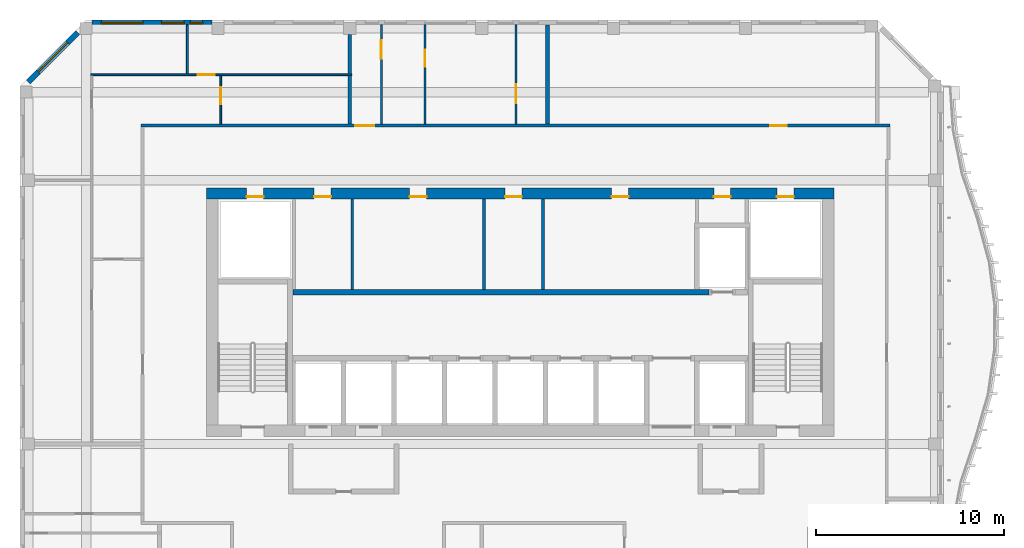
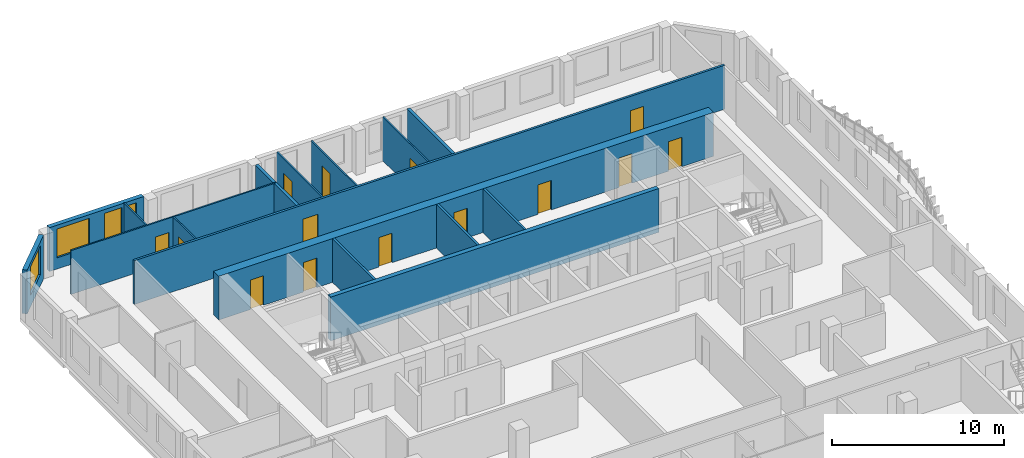
# One storey, part 7 of 18: 17 walls, 14 doors, 4 windows, 18 openings.
"""IFC4 building model written with IfcOpenShell, lengths in metres."""

from ifc_helpers import new_model, si_unit, direction, frame, frame_2d, origin, place, context, subcontext, project, spatial, rectangle, extrude, source, transform, mapped, material, layer, layer_set, type_object, element, fill, save


model = new_model("IFC4")

# Units and contexts
model_context = context("Model", 3, precision=1e-05, world=origin(), true_north=direction((0.0, 1.0)))
body_context = subcontext(model_context, "Body", "Model", "MODEL_VIEW")
ifc_project = project(units=[si_unit("LENGTHUNIT", "METRE"), si_unit("AREAUNIT", "SQUARE_METRE"), si_unit("VOLUMEUNIT", "CUBIC_METRE"), si_unit("PLANEANGLEUNIT", "RADIAN"), si_unit("MASSUNIT", "GRAM", prefix="KILO")], contexts=[model_context])

# Site, building, storey
site_placement = place(None, origin())
site = spatial("IfcSite", under=ifc_project, at=site_placement, CompositionType="ELEMENT")
building_placement = place(site_placement, origin())
building = spatial("IfcBuilding", under=site, at=building_placement, Name="Kilnfold Tower and Market Hall", CompositionType="ELEMENT")
storey_placement = place(building_placement, frame((0.0, 0.0, 277.199951171875)))
storey = spatial("IfcBuildingStorey", under=building, at=storey_placement, Name="L68", CompositionType="ELEMENT", Elevation=277.199951171875)

# Wall, openings, doors
ifc_material_1 = material(Name="Gypsum board on steel studs", Category="steel")
ifc_layer_1 = layer(ifc_material_1, 0.14990234375)
ifc_layer_set_1 = layer_set([ifc_layer_1], Name="Gypsum board on steel studs")
wall_type_1 = type_object("IfcWallType", Name="WALL CORRIDOR 150", PredefinedType="PARTITIONING", material=ifc_layer_set_1)
wall_1_placement = place(storey_placement, frame((-19.074951171875, 24.89990234375, 0.0), z_axis=(0.0, 0.0, 1.0), x_axis=(1.0, 0.0, 0.0)))
wall_1 = element("IfcWall", 1, at=wall_1_placement, inside=storey, type_object=wall_type_1, Name="Partition LY42.22", PredefinedType="PARTITIONING", context=body_context, shape_type="SweptSolid", body=[
    extrude(rectangle(XDim=39.75, YDim=0.14990234375, at=frame_2d((19.875, 0.0))), origin(), (0.0, 0.0, 1.0), 3.1201171875),
])
opening_1_placement = place(wall_1_placement, frame((11.364990234375, 0.0, 0.0)))
opening_1 = element("IfcOpeningElement", 2, at=opening_1_placement, cuts=wall_1, Name="Opening D1", PredefinedType="OPENING", context=body_context, shape_type="SweptSolid", body=[
    extrude(rectangle(XDim=1.0, YDim=2.10009765625, at=frame_2d((0.5, 1.050048828125))), frame((0.0, 0.0849609375, 0.0), z_axis=(0.0, -1.0, 0.0), x_axis=(1.0, 0.0, 0.0)), (0.0, 0.0, 1.0), 0.169921875),
])
opening_2_placement = place(wall_1_placement, frame((33.37890625, 0.0, 0.0)))
opening_2 = element("IfcOpeningElement", 3, at=opening_2_placement, cuts=wall_1, Name="Opening D2", PredefinedType="OPENING", context=body_context, shape_type="SweptSolid", body=[
    extrude(rectangle(XDim=0.89990234375, YDim=2.10009765625, at=frame_2d((0.449951171875, 1.050048828125))), frame((0.0, 0.0849609375, 0.0), z_axis=(0.0, -1.0, 0.0), x_axis=(1.0, 0.0, 0.0)), (0.0, 0.0, 1.0), 0.169921875),
])
ifc_material_2 = material(Name="Timber veneer door leaf in steel frame", Category="steel")
door_type_1 = type_object("IfcDoorType", Name="DOOR ENTRY 1000 X2100", OperationType="NOTDEFINED", PredefinedType="DOOR", material=ifc_material_2)
door_1_placement = place(opening_1_placement, origin())
door_1 = element("IfcDoor", 4, at=door_1_placement, inside=storey, type_object=door_type_1, Name="Door D1", OperationType="SINGLE_SWING_LEFT", OverallHeight=2.10009765625, OverallWidth=1.0, PredefinedType="DOOR", context=body_context, shape_type="SweptSolid", body=[
    extrude(rectangle(XDim=1.0, YDim=2.10009765625, at=frame_2d((0.5, 1.050048828125))), frame((0.0, 0.02490234375, 0.0), z_axis=(0.0, -1.0, 0.0), x_axis=(1.0, 0.0, 0.0)), (0.0, 0.0, 1.0), 0.050048828125),
])
fill(opening_1, door_1)
ifc_material_3 = material(Name="Timber veneer door leaf in steel frame", Category="steel")
door_type_2 = type_object("IfcDoorType", Name="DOOR ROOM 900 X2100", OperationType="NOTDEFINED", PredefinedType="DOOR", material=ifc_material_3)
door_2_placement = place(opening_2_placement, origin())
door_2 = element("IfcDoor", 5, at=door_2_placement, inside=storey, type_object=door_type_2, Name="Door D2", OperationType="SINGLE_SWING_LEFT", OverallHeight=2.10009765625, OverallWidth=0.89990234375, PredefinedType="DOOR", context=body_context, shape_type="SweptSolid", body=[
    extrude(rectangle(XDim=0.89990234375, YDim=2.10009765625, at=frame_2d((0.449951171875, 1.050048828125))), frame((0.0, 0.02490234375, 0.0), z_axis=(0.0, -1.0, 0.0), x_axis=(1.0, 0.0, 0.0)), (0.0, 0.0, 1.0), 0.050048828125),
])
fill(opening_2, door_2)

# Wall, opening, door
ifc_material_4 = material(Name="Gypsum board on steel studs", Category="steel")
ifc_layer_2 = layer(ifc_material_4, 0.10009765625)
ifc_layer_set_2 = layer_set([ifc_layer_2], Name="Gypsum board on steel studs")
wall_type_2 = type_object("IfcWallType", Name="WALL PARTITION 100", PredefinedType="PARTITIONING", material=ifc_layer_set_2)
wall_2_placement = place(storey_placement, frame((-6.320068359375, 24.97705078125, 0.0), z_axis=(0.0, 0.0, 1.0), x_axis=(0.0, 1.0, 0.0)))
wall_2 = element("IfcWall", 6, at=wall_2_placement, inside=storey, type_object=wall_type_2, Name="Partition LY42.66", PredefinedType="PARTITIONING", context=body_context, shape_type="SweptSolid", body=[
    extrude(rectangle(XDim=5.27294921875, YDim=0.10009765625, at=frame_2d((2.636474609375, 0.0))), origin(), (0.0, 0.0, 1.0), 3.1201171875),
])
opening_3_placement = place(wall_2_placement, frame((3.4609375, 0.0, 0.0)))
opening_3 = element("IfcOpeningElement", 7, at=opening_3_placement, cuts=wall_2, Name="Opening D1", PredefinedType="OPENING", context=body_context, shape_type="SweptSolid", body=[
    extrude(rectangle(XDim=1.0, YDim=2.10009765625, at=frame_2d((0.5, 1.050048828125))), frame((0.0, 0.06005859375, 0.0), z_axis=(0.0, -1.0, 0.0), x_axis=(1.0, 0.0, 0.0)), (0.0, 0.0, 1.0), 0.1201171875),
])
door_3_placement = place(opening_3_placement, origin())
door_3 = element("IfcDoor", 8, at=door_3_placement, inside=storey, type_object=door_type_1, Name="Door D1", OperationType="SINGLE_SWING_LEFT", OverallHeight=2.10009765625, OverallWidth=1.0, PredefinedType="DOOR", context=body_context, shape_type="SweptSolid", body=[
    extrude(rectangle(XDim=1.0, YDim=2.10009765625, at=frame_2d((0.5, 1.050048828125))), frame((0.0, 0.02490234375, 0.0), z_axis=(0.0, -1.0, 0.0), x_axis=(1.0, 0.0, 0.0)), (0.0, 0.0, 1.0), 0.050048828125),
])
fill(opening_3, door_3)

wall_3_placement = place(storey_placement, frame((-4.010009765625, 24.97705078125, 0.0), z_axis=(0.0, 0.0, 1.0), x_axis=(0.0, 1.0, 0.0)))
wall_3 = element("IfcWall", 9, at=wall_3_placement, inside=storey, type_object=wall_type_2, Name="Partition LY42.69", PredefinedType="PARTITIONING", context=body_context, shape_type="SweptSolid", body=[
    extrude(rectangle(XDim=5.27294921875, YDim=0.10009765625, at=frame_2d((2.636474609375, 0.0))), origin(), (0.0, 0.0, 1.0), 3.1201171875),
])
opening_4_placement = place(wall_3_placement, frame((3.052001953125, 0.0, 0.0)))
opening_4 = element("IfcOpeningElement", 10, at=opening_4_placement, cuts=wall_3, Name="Opening D2", PredefinedType="OPENING", context=body_context, shape_type="SweptSolid", body=[
    extrude(rectangle(XDim=0.89990234375, YDim=2.10009765625, at=frame_2d((0.449951171875, 1.050048828125))), frame((0.0, 0.06005859375, 0.0), z_axis=(0.0, -1.0, 0.0), x_axis=(1.0, 0.0, 0.0)), (0.0, 0.0, 1.0), 0.1201171875),
])
door_4_placement = place(opening_4_placement, origin())
door_4 = element("IfcDoor", 11, at=door_4_placement, inside=storey, type_object=door_type_2, Name="Door D2", OperationType="SINGLE_SWING_LEFT", OverallHeight=2.10009765625, OverallWidth=0.89990234375, PredefinedType="DOOR", context=body_context, shape_type="SweptSolid", body=[
    extrude(rectangle(XDim=0.89990234375, YDim=2.10009765625, at=frame_2d((0.449951171875, 1.050048828125))), frame((0.0, 0.02490234375, 0.0), z_axis=(0.0, -1.0, 0.0), x_axis=(1.0, 0.0, 0.0)), (0.0, 0.0, 1.0), 0.050048828125),
])
fill(opening_4, door_4)

wall_4_placement = place(storey_placement, frame((0.820068359375, 24.97705078125, 0.0), z_axis=(0.0, 0.0, 1.0), x_axis=(0.0, 1.0, 0.0)))
wall_4 = element("IfcWall", 12, at=wall_4_placement, inside=storey, type_object=wall_type_2, Name="Partition LY42.70", PredefinedType="PARTITIONING", context=body_context, shape_type="SweptSolid", body=[
    extrude(rectangle(XDim=5.27294921875, YDim=0.10009765625, at=frame_2d((2.636474609375, 0.0))), origin(), (0.0, 0.0, 1.0), 3.1201171875),
])
opening_5_placement = place(wall_4_placement, frame((1.116943359375, 0.0, 0.0)))
opening_5 = element("IfcOpeningElement", 13, at=opening_5_placement, cuts=wall_4, Name="Opening D1", PredefinedType="OPENING", context=body_context, shape_type="SweptSolid", body=[
    extrude(rectangle(XDim=1.0, YDim=2.10009765625, at=frame_2d((0.5, 1.050048828125))), frame((0.0, 0.06005859375, 0.0), z_axis=(0.0, -1.0, 0.0), x_axis=(1.0, 0.0, 0.0)), (0.0, 0.0, 1.0), 0.1201171875),
])
door_5_placement = place(opening_5_placement, origin())
door_5 = element("IfcDoor", 14, at=door_5_placement, inside=storey, type_object=door_type_1, Name="Door D1", OperationType="SINGLE_SWING_RIGHT", OverallHeight=2.10009765625, OverallWidth=1.0, PredefinedType="DOOR", context=body_context, shape_type="SweptSolid", body=[
    extrude(rectangle(XDim=1.0, YDim=2.10009765625, at=frame_2d((0.5, 1.050048828125))), frame((0.0, 0.02490234375, 0.0), z_axis=(0.0, -1.0, 0.0), x_axis=(1.0, 0.0, 0.0)), (0.0, 0.0, 1.0), 0.050048828125),
])
fill(opening_5, door_5)

wall_5_placement = place(storey_placement, frame((-14.85009765625, 24.97705078125, 0.0), z_axis=(0.0, 0.0, 1.0), x_axis=(0.0, 1.0, 0.0)))
wall_5 = element("IfcWall", 15, at=wall_5_placement, inside=storey, type_object=wall_type_2, Name="Partition LY42.73", PredefinedType="PARTITIONING", context=body_context, shape_type="SweptSolid", body=[
    extrude(rectangle(XDim=2.572998046875, YDim=0.10009765625, at=frame_2d((1.28662109375, 0.0))), origin(), (0.0, 0.0, 1.0), 3.1201171875),
])
opening_6_placement = place(wall_5_placement, frame((1.049072265625, 0.0, 0.0)))
opening_6 = element("IfcOpeningElement", 16, at=opening_6_placement, cuts=wall_5, Name="Opening D2", PredefinedType="OPENING", context=body_context, shape_type="SweptSolid", body=[
    extrude(rectangle(XDim=0.89990234375, YDim=2.10009765625, at=frame_2d((0.449951171875, 1.050048828125))), frame((0.0, 0.06005859375, 0.0), z_axis=(0.0, -1.0, 0.0), x_axis=(1.0, 0.0, 0.0)), (0.0, 0.0, 1.0), 0.1201171875),
])
door_6_placement = place(opening_6_placement, origin())
door_6 = element("IfcDoor", 17, at=door_6_placement, inside=storey, type_object=door_type_2, Name="Door D2", OperationType="SINGLE_SWING_LEFT", OverallHeight=2.10009765625, OverallWidth=0.89990234375, PredefinedType="DOOR", context=body_context, shape_type="SweptSolid", body=[
    extrude(rectangle(XDim=0.89990234375, YDim=2.10009765625, at=frame_2d((0.449951171875, 1.050048828125))), frame((0.0, 0.02490234375, 0.0), z_axis=(0.0, -1.0, 0.0), x_axis=(1.0, 0.0, 0.0)), (0.0, 0.0, 1.0), 0.050048828125),
])
fill(opening_6, door_6)

wall_6_placement = place(storey_placement, frame((-21.75, 27.60009765625, 0.0), z_axis=(0.0, 0.0, 1.0), x_axis=(1.0, 0.0, 0.0)))
wall_6 = element("IfcWall", 18, at=wall_6_placement, inside=storey, type_object=wall_type_2, Name="Partition LY42.76", PredefinedType="PARTITIONING", context=body_context, shape_type="SweptSolid", body=[
    extrude(rectangle(XDim=13.85009765625, YDim=0.10009765625, at=frame_2d((6.925048828125, 0.0))), origin(), (0.0, 0.0, 1.0), 3.1201171875),
])
opening_7_placement = place(wall_6_placement, frame((5.678955078125, 0.0, 0.0)))
opening_7 = element("IfcOpeningElement", 19, at=opening_7_placement, cuts=wall_6, Name="Opening D2", PredefinedType="OPENING", context=body_context, shape_type="SweptSolid", body=[
    extrude(rectangle(XDim=0.89990234375, YDim=2.10009765625, at=frame_2d((0.449951171875, 1.050048828125))), frame((0.0, 0.06005859375, 0.0), z_axis=(0.0, -1.0, 0.0), x_axis=(1.0, 0.0, 0.0)), (0.0, 0.0, 1.0), 0.1201171875),
])
door_7_placement = place(opening_7_placement, origin())
door_7 = element("IfcDoor", 20, at=door_7_placement, inside=storey, type_object=door_type_2, Name="Door D2", OperationType="SINGLE_SWING_RIGHT", OverallHeight=2.10009765625, OverallWidth=0.89990234375, PredefinedType="DOOR", context=body_context, shape_type="SweptSolid", body=[
    extrude(rectangle(XDim=0.89990234375, YDim=2.10009765625, at=frame_2d((0.449951171875, 1.050048828125))), frame((0.0, 0.02490234375, 0.0), z_axis=(0.0, -1.0, 0.0), x_axis=(1.0, 0.0, 0.0)), (0.0, 0.0, 1.0), 0.050048828125),
])
fill(opening_7, door_7)

# Walls
wall_7_placement = place(storey_placement, frame((-16.625, 27.652099609375, 0.0), z_axis=(0.0, 0.0, 1.0), x_axis=(0.0, 1.0, 0.0)))
element("IfcWall", 21, at=wall_7_placement, inside=storey, type_object=wall_type_2, Name="Partition LY42.78", PredefinedType="PARTITIONING", context=body_context, shape_type="SweptSolid", body=[
    extrude(rectangle(XDim=2.597900390625, YDim=0.10009765625, at=frame_2d((1.298828125, 0.0))), origin(), (0.0, 0.0, 1.0), 3.1201171875),
])
ifc_material_5 = material(Name="Gypsum board on steel studs", Category="steel")
ifc_layer_3 = layer(ifc_material_5, 0.199951171875)
ifc_layer_set_3 = layer_set([ifc_layer_3], Name="Gypsum board on steel studs")
wall_type_3 = type_object("IfcWallType", Name="WALL PARTY 200", PredefinedType="PARTITIONING", material=ifc_layer_set_3)
wall_8_placement = place(storey_placement, frame((2.5, 30.25, 0.0), z_axis=(0.0, 0.0, 1.0), x_axis=(0.0, -1.0, 0.0)))
element("IfcWall", 22, at=wall_8_placement, inside=storey, type_object=wall_type_3, Name="Partition LY42.65", PredefinedType="PARTITIONING", context=body_context, shape_type="SweptSolid", body=[
    extrude(rectangle(XDim=5.27294921875, YDim=0.199951171875, at=frame_2d((2.636474609375, 0.0))), origin(), (0.0, 0.0, 1.0), 3.1201171875),
])
wall_9_placement = place(storey_placement, frame((-8.0, 24.97705078125, 0.0), z_axis=(0.0, 0.0, 1.0), x_axis=(0.0, 1.0, 0.0)))
element("IfcWall", 23, at=wall_9_placement, inside=storey, type_object=wall_type_3, Name="Partition LY42.67", PredefinedType="PARTITIONING", context=body_context, shape_type="SweptSolid", body=[
    extrude(rectangle(XDim=2.5830078125, YDim=0.199951171875, at=frame_2d((1.29150390625, 0.0))), origin(), (0.0, 0.0, 1.0), 3.1201171875),
])
wall_10_placement = place(storey_placement, frame((-8.0, 27.64208984375, 0.0), z_axis=(0.0, 0.0, 1.0), x_axis=(0.0, 1.0, 0.0)))
element("IfcWall", 24, at=wall_10_placement, inside=storey, type_object=wall_type_3, Name="Partition LY42.68", PredefinedType="PARTITIONING", context=body_context, shape_type="SweptSolid", body=[
    extrude(rectangle(XDim=2.0830078125, YDim=0.199951171875, at=frame_2d((1.04150390625, 0.0))), origin(), (0.0, 0.0, 1.0), 3.1201171875),
])
ifc_material_6 = material(Name="Concrete C50", Category="concrete")
ifc_layer_4 = layer(ifc_material_6, 0.300048828125)
ifc_layer_set_4 = layer_set([ifc_layer_4], Name="Concrete C50")
wall_type_4 = type_object("IfcWallType", Name="CORE WALL 300 C50", PredefinedType="SHEAR", material=ifc_layer_set_4)
shared_shape_1 = source(origin(), body_context, "Body", "SweptSolid", [
    extrude(rectangle(XDim=22.080078125, YDim=0.300048828125, at=frame_2d((11.0400390625, 0.0))), origin(), (0.0, 0.0, 1.0), 3.1201171875),
])
wall_11_placement = place(storey_placement, frame((-11.010009765625, 16.050048828125, 0.0), z_axis=(0.0, 0.0, 1.0), x_axis=(1.0, 0.0, 0.0)))
element("IfcWall", 25, at=wall_11_placement, inside=storey, type_object=wall_type_4, Name="Core spine wall", PredefinedType="SHEAR", context=body_context, shape_type="MappedRepresentation", body=[
    mapped(shared_shape_1, transform((0.0, 0.0, 0.0))),
])

# Wall, openings, doors
ifc_material_7 = material(Name="Concrete C50", Category="concrete")
ifc_layer_5 = layer(ifc_material_7, 0.60009765625)
ifc_layer_set_5 = layer_set([ifc_layer_5], Name="Concrete C50")
wall_type_5 = type_object("IfcWallType", Name="CORE WALL 600 C50", PredefinedType="SHEAR", material=ifc_layer_set_5)
shared_shape_2 = source(origin(), body_context, "Body", "SweptSolid", [
    extrude(rectangle(XDim=33.300048828125, YDim=0.60009765625, at=frame_2d((16.64990234375, 0.0))), origin(), (0.0, 0.0, 1.0), 3.1201171875),
])
wall_12_placement = place(storey_placement, frame((-15.60009765625, 21.300048828125, 0.0), z_axis=(0.0, 0.0, 1.0), x_axis=(1.0, 0.0, 0.0)))
wall_12 = element("IfcWall", 26, at=wall_12_placement, inside=storey, type_object=wall_type_5, Name="Core outer wall north", PredefinedType="SHEAR", context=body_context, shape_type="MappedRepresentation", body=[
    mapped(shared_shape_2, transform((0.0, 0.0, 0.0))),
])
opening_8_placement = place(wall_12_placement, frame((5.707763671875, 0.0, 0.0)))
opening_8 = element("IfcOpeningElement", 27, at=opening_8_placement, cuts=wall_12, Name="Opening KD1", PredefinedType="OPENING", context=body_context, shape_type="SweptSolid", body=[
    extrude(rectangle(XDim=0.89990234375, YDim=2.10009765625, at=frame_2d((0.449951171875, 1.050048828125))), frame((0.0, 0.31005859375, 0.0), z_axis=(0.0, -1.0, 0.0), x_axis=(1.0, 0.0, 0.0)), (0.0, 0.0, 1.0), 0.6201171875),
])
opening_9_placement = place(wall_12_placement, frame((10.77294921875, 0.0, 0.0)))
opening_9 = element("IfcOpeningElement", 28, at=opening_9_placement, cuts=wall_12, Name="Opening KD1", PredefinedType="OPENING", context=body_context, shape_type="SweptSolid", body=[
    extrude(rectangle(XDim=0.89990234375, YDim=2.10009765625, at=frame_2d((0.449951171875, 1.050048828125))), frame((0.0, 0.31005859375, 0.0), z_axis=(0.0, -1.0, 0.0), x_axis=(1.0, 0.0, 0.0)), (0.0, 0.0, 1.0), 0.6201171875),
])
opening_10_placement = place(wall_12_placement, frame((15.838134765625, 0.0, 0.0)))
opening_10 = element("IfcOpeningElement", 29, at=opening_10_placement, cuts=wall_12, Name="Opening KD1", PredefinedType="OPENING", context=body_context, shape_type="SweptSolid", body=[
    extrude(rectangle(XDim=0.89990234375, YDim=2.10009765625, at=frame_2d((0.449951171875, 1.050048828125))), frame((0.0, 0.31005859375, 0.0), z_axis=(0.0, -1.0, 0.0), x_axis=(1.0, 0.0, 0.0)), (0.0, 0.0, 1.0), 0.6201171875),
])
opening_11_placement = place(wall_12_placement, frame((21.492919921875, 0.0, 0.0)))
opening_11 = element("IfcOpeningElement", 30, at=opening_11_placement, cuts=wall_12, Name="Opening KD1", PredefinedType="OPENING", context=body_context, shape_type="SweptSolid", body=[
    extrude(rectangle(XDim=0.89990234375, YDim=2.10009765625, at=frame_2d((0.449951171875, 1.050048828125))), frame((0.0, 0.31005859375, 0.0), z_axis=(0.0, -1.0, 0.0), x_axis=(1.0, 0.0, 0.0)), (0.0, 0.0, 1.0), 0.6201171875),
])
opening_12_placement = place(wall_12_placement, frame((26.919921875, 0.0, 0.0)))
opening_12 = element("IfcOpeningElement", 31, at=opening_12_placement, cuts=wall_12, Name="Opening KD1", PredefinedType="OPENING", context=body_context, shape_type="SweptSolid", body=[
    extrude(rectangle(XDim=0.89990234375, YDim=2.10009765625, at=frame_2d((0.449951171875, 1.050048828125))), frame((0.0, 0.31005859375, 0.0), z_axis=(0.0, -1.0, 0.0), x_axis=(1.0, 0.0, 0.0)), (0.0, 0.0, 1.0), 0.6201171875),
])
opening_13_placement = place(wall_12_placement, frame((2.125, 0.0, 0.0)))
opening_13 = element("IfcOpeningElement", 32, at=opening_13_placement, cuts=wall_12, Name="Opening KD1", PredefinedType="OPENING", context=body_context, shape_type="SweptSolid", body=[
    extrude(rectangle(XDim=0.89990234375, YDim=2.10009765625, at=frame_2d((0.449951171875, 1.050048828125))), frame((0.0, 0.31005859375, 0.0), z_axis=(0.0, -1.0, 0.0), x_axis=(1.0, 0.0, 0.0)), (0.0, 0.0, 1.0), 0.6201171875),
])
opening_14_placement = place(wall_12_placement, frame((30.27490234375, 0.0, 0.0)))
opening_14 = element("IfcOpeningElement", 33, at=opening_14_placement, cuts=wall_12, Name="Opening KD1", PredefinedType="OPENING", context=body_context, shape_type="SweptSolid", body=[
    extrude(rectangle(XDim=0.89990234375, YDim=2.10009765625, at=frame_2d((0.449951171875, 1.050048828125))), frame((0.0, 0.31005859375, 0.0), z_axis=(0.0, -1.0, 0.0), x_axis=(1.0, 0.0, 0.0)), (0.0, 0.0, 1.0), 0.6201171875),
])
ifc_material_8 = material(Name="Steel door set with fire-resisting leaf", Category="steel")
door_type_3 = type_object("IfcDoorType", Name="SERVICE DOOR 900X2100", OperationType="NOTDEFINED", PredefinedType="DOOR", material=ifc_material_8)
door_8_placement = place(opening_8_placement, origin())
door_8 = element("IfcDoor", 34, at=door_8_placement, inside=storey, type_object=door_type_3, Name="Core service door", OperationType="SINGLE_SWING_RIGHT", OverallHeight=2.10009765625, OverallWidth=0.89990234375, PredefinedType="DOOR", context=body_context, shape_type="SweptSolid", body=[
    extrude(rectangle(XDim=0.89990234375, YDim=2.10009765625, at=frame_2d((0.449951171875, 1.050048828125))), frame((0.0, -0.15478515625, 0.0), z_axis=(0.0, -1.0, 0.0), x_axis=(1.0, 0.0, 0.0)), (0.0, 0.0, 1.0), 0.050048828125),
])
fill(opening_8, door_8)
door_9_placement = place(opening_9_placement, origin())
door_9 = element("IfcDoor", 35, at=door_9_placement, inside=storey, type_object=door_type_3, Name="Core service door", OperationType="SINGLE_SWING_LEFT", OverallHeight=2.10009765625, OverallWidth=0.89990234375, PredefinedType="DOOR", context=body_context, shape_type="SweptSolid", body=[
    extrude(rectangle(XDim=0.89990234375, YDim=2.10009765625, at=frame_2d((0.449951171875, 1.050048828125))), frame((0.0, -0.15478515625, 0.0), z_axis=(0.0, -1.0, 0.0), x_axis=(1.0, 0.0, 0.0)), (0.0, 0.0, 1.0), 0.050048828125),
])
fill(opening_9, door_9)
door_10_placement = place(opening_10_placement, origin())
door_10 = element("IfcDoor", 36, at=door_10_placement, inside=storey, type_object=door_type_3, Name="Core service door", OperationType="SINGLE_SWING_RIGHT", OverallHeight=2.10009765625, OverallWidth=0.89990234375, PredefinedType="DOOR", context=body_context, shape_type="SweptSolid", body=[
    extrude(rectangle(XDim=0.89990234375, YDim=2.10009765625, at=frame_2d((0.449951171875, 1.050048828125))), frame((0.0, -0.15478515625, 0.0), z_axis=(0.0, -1.0, 0.0), x_axis=(1.0, 0.0, 0.0)), (0.0, 0.0, 1.0), 0.050048828125),
])
fill(opening_10, door_10)
door_11_placement = place(opening_11_placement, origin())
door_11 = element("IfcDoor", 37, at=door_11_placement, inside=storey, type_object=door_type_3, Name="Core service door", OperationType="SINGLE_SWING_LEFT", OverallHeight=2.10009765625, OverallWidth=0.89990234375, PredefinedType="DOOR", context=body_context, shape_type="SweptSolid", body=[
    extrude(rectangle(XDim=0.89990234375, YDim=2.10009765625, at=frame_2d((0.449951171875, 1.050048828125))), frame((0.0, -0.15478515625, 0.0), z_axis=(0.0, -1.0, 0.0), x_axis=(1.0, 0.0, 0.0)), (0.0, 0.0, 1.0), 0.050048828125),
])
fill(opening_11, door_11)
door_12_placement = place(opening_12_placement, origin())
door_12 = element("IfcDoor", 38, at=door_12_placement, inside=storey, type_object=door_type_3, Name="Core service door", OperationType="SINGLE_SWING_RIGHT", OverallHeight=2.10009765625, OverallWidth=0.89990234375, PredefinedType="DOOR", context=body_context, shape_type="SweptSolid", body=[
    extrude(rectangle(XDim=0.89990234375, YDim=2.10009765625, at=frame_2d((0.449951171875, 1.050048828125))), frame((0.0, -0.15478515625, 0.0), z_axis=(0.0, -1.0, 0.0), x_axis=(1.0, 0.0, 0.0)), (0.0, 0.0, 1.0), 0.050048828125),
])
fill(opening_12, door_12)
door_13_placement = place(opening_13_placement, origin())
door_13 = element("IfcDoor", 39, at=door_13_placement, inside=storey, type_object=door_type_3, Name="Electrical riser access door", OperationType="SINGLE_SWING_LEFT", OverallHeight=2.10009765625, OverallWidth=0.89990234375, PredefinedType="DOOR", context=body_context, shape_type="SweptSolid", body=[
    extrude(rectangle(XDim=0.89990234375, YDim=2.10009765625, at=frame_2d((0.449951171875, 1.050048828125))), frame((0.0, -0.15478515625, 0.0), z_axis=(0.0, -1.0, 0.0), x_axis=(1.0, 0.0, 0.0)), (0.0, 0.0, 1.0), 0.050048828125),
])
fill(opening_13, door_13)
door_14_placement = place(opening_14_placement, origin())
door_14 = element("IfcDoor", 40, at=door_14_placement, inside=storey, type_object=door_type_3, Name="Mechanical riser access door", OperationType="SINGLE_SWING_RIGHT", OverallHeight=2.10009765625, OverallWidth=0.89990234375, PredefinedType="DOOR", context=body_context, shape_type="SweptSolid", body=[
    extrude(rectangle(XDim=0.89990234375, YDim=2.10009765625, at=frame_2d((0.449951171875, 1.050048828125))), frame((0.0, -0.15478515625, 0.0), z_axis=(0.0, -1.0, 0.0), x_axis=(1.0, 0.0, 0.0)), (0.0, 0.0, 1.0), 0.050048828125),
])
fill(opening_14, door_14)

# Wall, openings, windows
ifc_material_9 = material(Name="Precast concrete C50/60", Category="concrete")
ifc_layer_6 = layer(ifc_material_9, 0.300048828125)
ifc_layer_set_6 = layer_set([ifc_layer_6], Name="Precast concrete C50/60")
wall_type_6 = type_object("IfcWallType", Name="PRECAST WALL 300", PredefinedType="SOLIDWALL", material=ifc_layer_set_6)
shared_shape_3 = source(origin(), body_context, "Body", "SweptSolid", [
    extrude(rectangle(XDim=6.35009765625, YDim=0.300048828125, at=frame_2d((3.175048828125, 0.0))), origin(), (0.0, 0.0, 1.0), 3.1201171875),
])
wall_13_placement = place(storey_placement, frame((-15.324951171875, 30.35009765625, 0.0), z_axis=(0.0, 0.0, 1.0), x_axis=(-1.0, 0.0, 0.0)))
wall_13 = element("IfcWall", 41, at=wall_13_placement, inside=storey, type_object=wall_type_6, Name="External wall L68 N", PredefinedType="SOLIDWALL", context=body_context, shape_type="MappedRepresentation", body=[
    mapped(shared_shape_3, transform((0.0, 0.0, 0.0))),
])
opening_15_placement = place(wall_13_placement, frame((0.493896484375, 0.0, 0.800048828125)))
opening_15 = element("IfcOpeningElement", 42, at=opening_15_placement, cuts=wall_13, Name="Opening W3-E", PredefinedType="OPENING", context=body_context, shape_type="SweptSolid", body=[
    extrude(rectangle(XDim=0.64990234375, YDim=2.050048828125, at=frame_2d((0.324951171875, 1.02490234375))), frame((0.0, 0.16015625, 0.0), z_axis=(0.0, -1.0, 0.0), x_axis=(1.0, 0.0, 0.0)), (0.0, 0.0, 1.0), 0.320068359375),
])
opening_16_placement = place(wall_13_placement, frame((3.66259765625, 0.0, 0.800048828125)))
opening_16 = element("IfcOpeningElement", 43, at=opening_16_placement, cuts=wall_13, Name="Opening W3", PredefinedType="OPENING", context=body_context, shape_type="SweptSolid", body=[
    extrude(rectangle(XDim=2.199951171875, YDim=2.050048828125, at=frame_2d((1.10009765625, 1.02490234375))), frame((0.0, 0.16015625, 0.0), z_axis=(0.0, -1.0, 0.0), x_axis=(1.0, 0.0, 0.0)), (0.0, 0.0, 1.0), 0.320068359375),
])
opening_17_placement = place(wall_13_placement, frame((1.46875, 0.0, 0.800048828125)))
opening_17 = element("IfcOpeningElement", 44, at=opening_17_placement, cuts=wall_13, Name="Opening W3-F", PredefinedType="OPENING", context=body_context, shape_type="SweptSolid", body=[
    extrude(rectangle(XDim=1.199951171875, YDim=2.050048828125, at=frame_2d((0.60009765625, 1.02490234375))), frame((0.0, 0.16015625, 0.0), z_axis=(0.0, -1.0, 0.0), x_axis=(1.0, 0.0, 0.0)), (0.0, 0.0, 1.0), 0.320068359375),
])
ifc_material_10 = material(Name="Aluminium frame and double glazing", Category="aluminium")
window_type_1 = type_object("IfcWindowType", Name="WINDOW W3 2200X2050", PartitioningType="SINGLE_PANEL", PredefinedType="WINDOW", material=ifc_material_10)
window_1_placement = place(opening_16_placement, origin())
window_1 = element("IfcWindow", 45, at=window_1_placement, inside=storey, type_object=window_type_1, Name="Window W3 L68 N-2", OverallHeight=2.050048828125, OverallWidth=2.199951171875, PartitioningType="SINGLE_PANEL", PredefinedType="WINDOW", context=body_context, shape_type="SweptSolid", body=[
    extrude(rectangle(XDim=2.199951171875, YDim=2.050048828125, at=frame_2d((1.10009765625, 1.02490234375))), frame((0.0, 0.030029296875, 0.0), z_axis=(0.0, -1.0, 0.0), x_axis=(1.0, 0.0, 0.0)), (0.0, 0.0, 1.0), 0.06005859375),
])
fill(opening_16, window_1)
ifc_material_11 = material(Name="Aluminium frame and double glazing", Category="aluminium")
window_type_2 = type_object("IfcWindowType", Name="WINDOW W3-E 650X2050", PartitioningType="SINGLE_PANEL", PredefinedType="WINDOW", material=ifc_material_11)
window_2_placement = place(opening_15_placement, origin())
window_2 = element("IfcWindow", 46, at=window_2_placement, inside=storey, type_object=window_type_2, Name="Window W3-E L68 N-1", OverallHeight=2.050048828125, OverallWidth=0.64990234375, PartitioningType="SINGLE_PANEL", PredefinedType="WINDOW", context=body_context, shape_type="SweptSolid", body=[
    extrude(rectangle(XDim=0.64990234375, YDim=2.050048828125, at=frame_2d((0.324951171875, 1.02490234375))), frame((0.0, 0.030029296875, 0.0), z_axis=(0.0, -1.0, 0.0), x_axis=(1.0, 0.0, 0.0)), (0.0, 0.0, 1.0), 0.06005859375),
])
fill(opening_15, window_2)
ifc_material_12 = material(Name="Aluminium frame and double glazing", Category="aluminium")
window_type_3 = type_object("IfcWindowType", Name="WINDOW W3-F 1200X2050", PartitioningType="SINGLE_PANEL", PredefinedType="WINDOW", material=ifc_material_12)
window_3_placement = place(opening_17_placement, origin())
window_3 = element("IfcWindow", 47, at=window_3_placement, inside=storey, type_object=window_type_3, Name="Window W3-E L68 N-1", OverallHeight=2.050048828125, OverallWidth=1.199951171875, PartitioningType="SINGLE_PANEL", PredefinedType="WINDOW", context=body_context, shape_type="SweptSolid", body=[
    extrude(rectangle(XDim=1.199951171875, YDim=2.050048828125, at=frame_2d((0.60009765625, 1.02490234375))), frame((0.0, 0.030029296875, 0.0), z_axis=(0.0, -1.0, 0.0), x_axis=(1.0, 0.0, 0.0)), (0.0, 0.0, 1.0), 0.06005859375),
])
fill(opening_17, window_3)

# Wall, opening, window
shared_shape_4 = source(origin(), body_context, "Body", "SweptSolid", [
    extrude(rectangle(XDim=3.71240234375, YDim=0.300048828125, at=frame_2d((1.856201171875, 0.0))), origin(), (0.0, 0.0, 1.0), 3.1201171875),
])
wall_14_placement = place(storey_placement, frame((-22.44384765625, 29.843994140625, 0.0), z_axis=(0.0, 0.0, 1.0), x_axis=(-0.707106781187, -0.707106781187, 0.0)))
wall_14 = element("IfcWall", 48, at=wall_14_placement, inside=storey, type_object=wall_type_6, Name="External wall L68 NW", PredefinedType="SOLIDWALL", context=body_context, shape_type="MappedRepresentation", body=[
    mapped(shared_shape_4, transform((0.0, 0.0, 0.0))),
])
opening_18_placement = place(wall_14_placement, frame((0.756103515625, 0.0, 0.800048828125)))
opening_18 = element("IfcOpeningElement", 49, at=opening_18_placement, cuts=wall_14, Name="Opening W3", PredefinedType="OPENING", context=body_context, shape_type="SweptSolid", body=[
    extrude(rectangle(XDim=2.199951171875, YDim=2.050048828125, at=frame_2d((1.10009765625, 1.02490234375))), frame((0.0, 0.16015625, 0.0), z_axis=(0.0, -1.0, 0.0), x_axis=(1.0, 0.0, 0.0)), (0.0, 0.0, 1.0), 0.320068359375),
])
window_4_placement = place(opening_18_placement, origin())
window_4 = element("IfcWindow", 50, at=window_4_placement, inside=storey, type_object=window_type_1, Name="Window W3 L68 NW-1", OverallHeight=2.050048828125, OverallWidth=2.199951171875, PartitioningType="SINGLE_PANEL", PredefinedType="WINDOW", context=body_context, shape_type="SweptSolid", body=[
    extrude(rectangle(XDim=2.199951171875, YDim=2.050048828125, at=frame_2d((1.10009765625, 1.02490234375))), frame((0.0, 0.030029296875, 0.0), z_axis=(0.0, -1.0, 0.0), x_axis=(1.0, 0.0, 0.0)), (0.0, 0.0, 1.0), 0.06005859375),
])
fill(opening_18, window_4)

# Walls
ifc_material_13 = material(Name="Gypsum shaft wall system")
ifc_layer_7 = layer(ifc_material_13, 0.14990234375)
ifc_layer_set_7 = layer_set([ifc_layer_7], Name="Gypsum shaft wall system")
wall_type_7 = type_object("IfcWallType", Name="ROOM WALL 150", PredefinedType="PARTITIONING", material=ifc_layer_set_7)
shared_shape_5 = source(origin(), body_context, "Body", "SweptSolid", [
    extrude(rectangle(XDim=4.800048828125, YDim=0.14990234375, at=frame_2d((2.39990234375, 0.0))), origin(), (0.0, 0.0, 1.0), 3.1201171875),
])
for number, where, z_axis, x_axis, name in (
    (51, (-7.87451171875, 16.199951171875, 0.0), (0.0, 0.0, 1.0), (0.0, 1.0, 0.0), "Core room wall"),
    (52, (-0.879638671875, 16.199951171875, 0.0), (0.0, 0.0, 1.0), (0.0, 1.0, 0.0), "Core room wall"),
    (53, (2.256103515625, 16.199951171875, 0.0), (0.0, 0.0, 1.0), (0.0, 1.0, 0.0), "Core room wall"),
):
    element("IfcWall", number, at=place(storey_placement, frame(where, z_axis=z_axis, x_axis=x_axis)), inside=storey, type_object=wall_type_7, Name=name, PredefinedType="PARTITIONING", context=body_context, shape_type="MappedRepresentation", body=[
        mapped(shared_shape_5, transform((0.0, 0.0, 0.0))),
    ])

save(model, "model.ifc")
